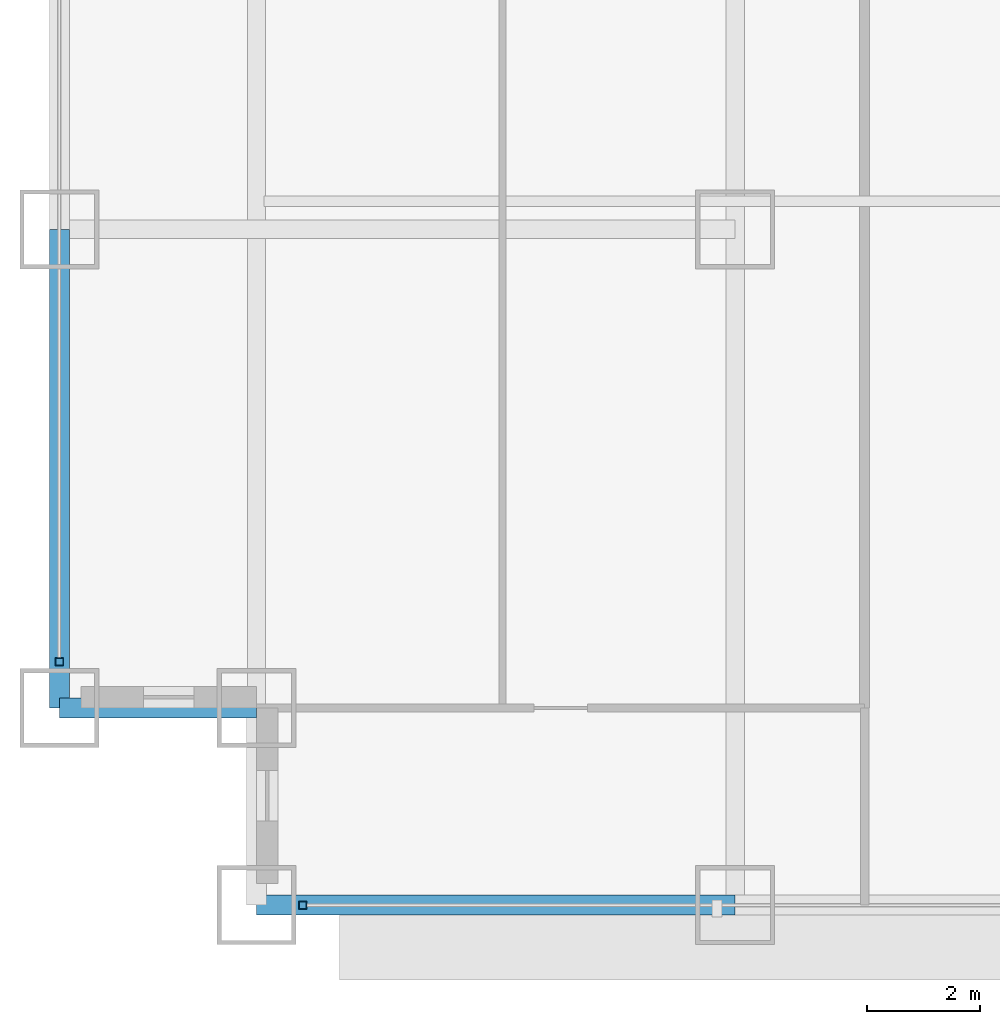
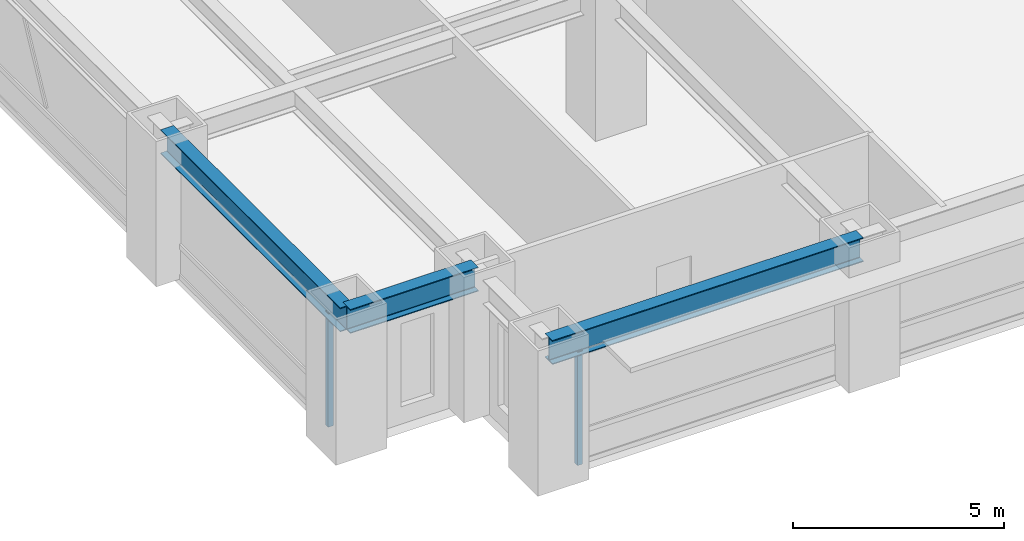
# One storey, part 2 of 32: 3 beams, 2 members, 2 elements without a shape of their own.
"""IFC4 building model written with IfcOpenShell, lengths in metres."""

from ifc_helpers import new_model, si_unit, direction, frame, origin, origin_2d, place, context, subcontext, project, spatial, hollow_rectangle, i_section, extrude, source, transform, mapped, material, material_profile, profile_set, type_object, element, aggregate, save


model = new_model("IFC4")

# Units and contexts
model_context = context("Model", 3, precision=1e-05, world=origin(), true_north=direction((0.0, 1.0)))
body_context = subcontext(model_context, "Body", "Model", "MODEL_VIEW")
ifc_project = project(units=[si_unit("LENGTHUNIT", "METRE"), si_unit("AREAUNIT", "SQUARE_METRE"), si_unit("VOLUMEUNIT", "CUBIC_METRE"), si_unit("PLANEANGLEUNIT", "RADIAN"), si_unit("MASSUNIT", "GRAM", prefix="KILO")], contexts=[model_context])

# Site, building, storey
site_placement = place(None, origin())
site = spatial("IfcSite", under=ifc_project, at=site_placement, CompositionType="ELEMENT")
building_placement = place(site_placement, origin())
building = spatial("IfcBuilding", under=site, at=building_placement, Name="Khorayat Bourse Tower", CompositionType="ELEMENT")
storey_placement = place(building_placement, frame((0.0, 0.0, 70.39990234375)))
storey = spatial("IfcBuildingStorey", under=building, at=storey_placement, Name="L15", CompositionType="ELEMENT", Elevation=70.39990234375)

# Beams
ifc_material_1 = material(Name="Steel ASTM A992 Grade 50", Category="steel")
ifc_material_profile_1 = material_profile(ifc_material_1, i_section(OverallWidth=0.35498046875, OverallDepth=0.695068359375, WebThickness=0.015380859375, FlangeThickness=0.02490234375, FilletRadius=0.01806640625, at=origin_2d()), Name="W690X217")
ifc_profile_set_1 = profile_set([ifc_material_profile_1], Name="Steel ASTM A992 Grade 50")
beam_type = type_object("IfcBeamType", Name="BM-SPAN-690", PredefinedType="SPANDREL", material=ifc_profile_set_1)
shared_shape_1 = source(origin(), body_context, "Body", "SweptSolid", [
    extrude(i_section(OverallWidth=0.35498046875, OverallDepth=0.695068359375, WebThickness=0.015380859375, FlangeThickness=0.02490234375, FilletRadius=0.01806640625, at=origin_2d()), origin(), (0.0, 0.0, 1.0), 8.5),
])
for number, where, z_axis, x_axis, name in (
    (1, (-28.5, -32.0, 3.592529296875), (1.0, 0.0, 0.0), (0.0, 1.0, 0.0), "L15 BM-SPAN-690 BM-L15-SPN-024"),
    (2, (-32.0, -28.5, 3.592529296875), (0.0, 1.0, 0.0), (-1.0, 0.0, 0.0), "L15 BM-SPAN-690 BM-L15-SPN-061"),
):
    element("IfcBeam", number, at=place(storey_placement, frame(where, z_axis=z_axis, x_axis=x_axis)), inside=storey, type_object=beam_type, Name=name, PredefinedType="SPANDREL", context=body_context, shape_type="MappedRepresentation", body=[
        mapped(shared_shape_1, transform((0.0, 0.0, 0.0), scale=1.0)),
    ])
shared_shape_2 = source(origin(), body_context, "Body", "SweptSolid", [
    extrude(i_section(OverallWidth=0.35498046875, OverallDepth=0.695068359375, WebThickness=0.015380859375, FlangeThickness=0.02490234375, FilletRadius=0.01806640625, at=origin_2d()), origin(), (0.0, 0.0, 1.0), 3.5),
])
beam_placement = place(storey_placement, frame((-32.0, -28.5, 3.592529296875), z_axis=(1.0, 0.0, 0.0), x_axis=(0.0, 1.0, 0.0)))
element("IfcBeam", 3, at=beam_placement, inside=storey, type_object=beam_type, Name="L15 BM-SPAN-690 BM-L15-SPN-062", PredefinedType="SPANDREL", context=body_context, shape_type="MappedRepresentation", body=[
    mapped(shared_shape_2, transform((0.0, 0.0, 0.0), scale=1.0)),
])

# Curtain wall, member
ifc_material_2 = material(Name="Aluminium EN AW-6063 T6", Category="aluminium")
curtain_wall_type = type_object("IfcCurtainWallType", Name="CW-SYS-02", PredefinedType="NOTDEFINED", material=ifc_material_2)
curtain_wall_1_placement = place(storey_placement, origin())
curtain_wall_1 = element("IfcCurtainWall", 4, at=curtain_wall_1_placement, inside=storey, type_object=curtain_wall_type, Name="L15 Curtain Wall CW-L15-S1", PredefinedType="NOTDEFINED")
ifc_material_profile_2 = material_profile(ifc_material_2, hollow_rectangle(XDim=0.139892578125, YDim=0.139892578125, WallThickness=0.006103515625, at=origin_2d()), Name="ALU 140x140x6")
ifc_profile_set_2 = profile_set([ifc_material_profile_2], Name="Aluminium EN AW-6063 T6")
member_type = type_object("IfcMemberType", Name="CWM-VERT-140", PredefinedType="MULLION", material=ifc_profile_set_2)
shared_shape_3 = source(origin(), body_context, "Body", "SweptSolid", [
    extrude(hollow_rectangle(XDim=0.139892578125, YDim=0.139892578125, WallThickness=0.006103515625, at=origin_2d()), origin(), (0.0, 0.0, 1.0), 3.2900390625),
])
member_1_placement = place(storey_placement, frame((-27.679931640625, -32.0, 0.0), z_axis=(0.0, 0.0, 1.0), x_axis=(0.0, 1.0, 0.0)))
member_1 = element("IfcMember", 5, at=member_1_placement, type_object=member_type, Name="CW-L15-S1 Vertical Mullion 1", PredefinedType="MULLION", context=body_context, shape_type="MappedRepresentation", body=[
    mapped(shared_shape_3, transform((0.0, 0.0, 0.0), scale=1.0)),
])
aggregate(curtain_wall_1, [member_1])

curtain_wall_2_placement = place(storey_placement, origin())
curtain_wall_2 = element("IfcCurtainWall", 6, at=curtain_wall_2_placement, inside=storey, type_object=curtain_wall_type, Name="L15 Curtain Wall CW-L15-W1", PredefinedType="NOTDEFINED")
member_2_placement = place(storey_placement, frame((-32.0, -27.679931640625, 0.0), z_axis=(0.0, 0.0, 1.0), x_axis=(-1.0, 0.0, 0.0)))
member_2 = element("IfcMember", 7, at=member_2_placement, type_object=member_type, Name="CW-L15-W1 Vertical Mullion 1", PredefinedType="MULLION", context=body_context, shape_type="MappedRepresentation", body=[
    mapped(shared_shape_3, transform((0.0, 0.0, 0.0), scale=1.0)),
])
aggregate(curtain_wall_2, [member_2])

save(model, "model.ifc")
